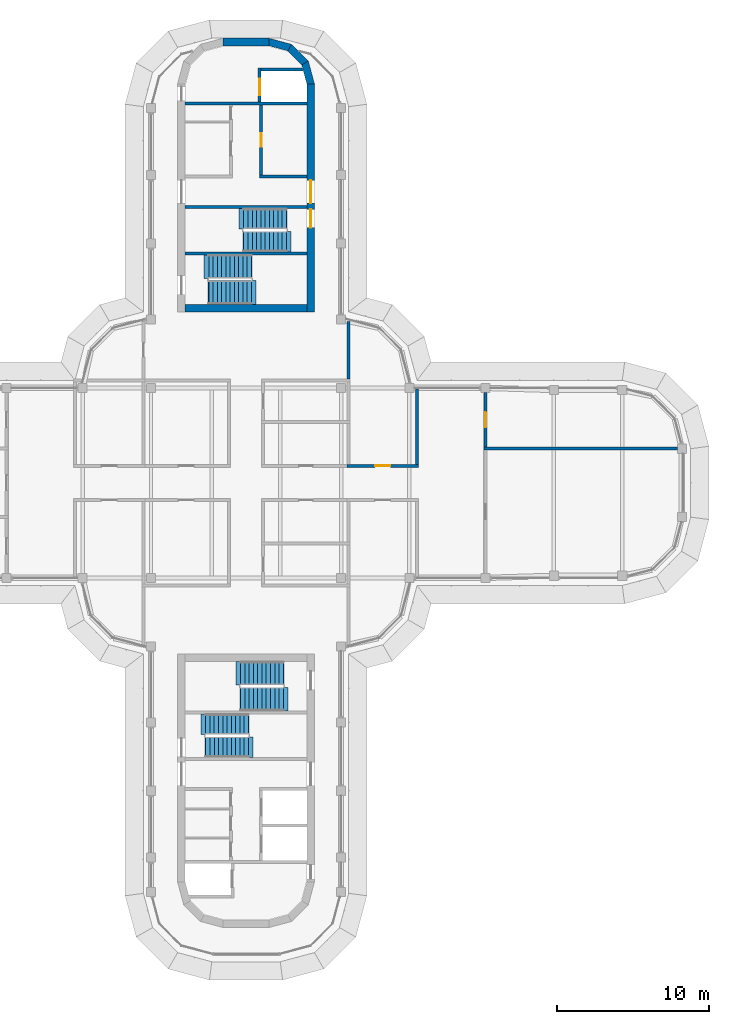
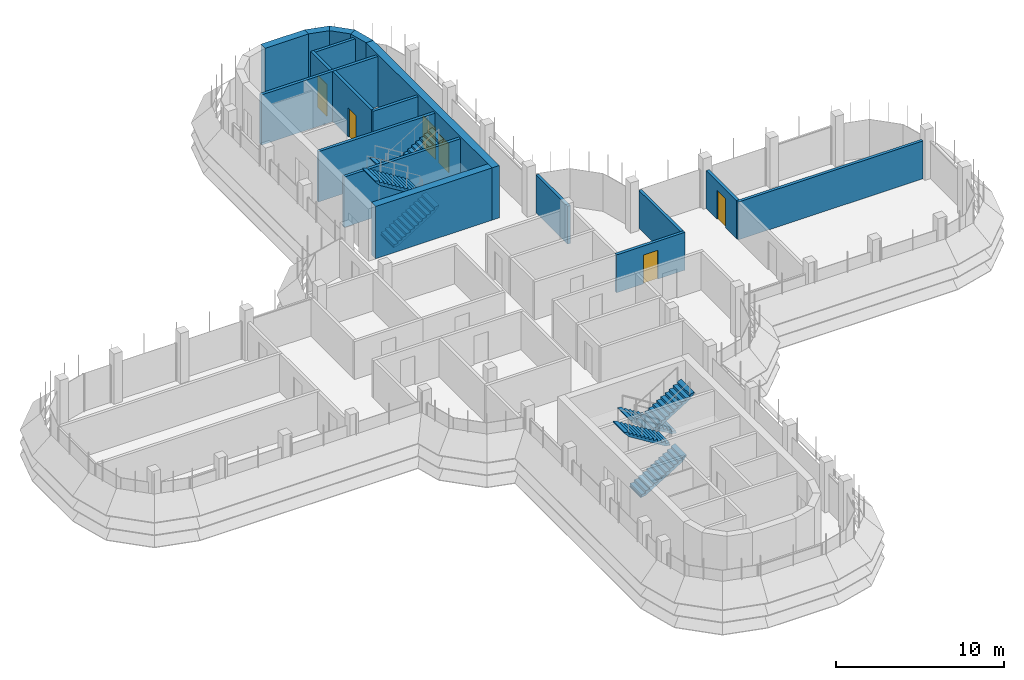
# One storey, part 15 of 19: 18 walls, 8 stair flights, 6 doors, 6 openings, 4 elements without a shape of their own.
"""IFC4 building model written with IfcOpenShell, lengths in metres."""

from ifc_helpers import new_model, si_unit, direction, frame, frame_2d, origin, place, context, subcontext, project, spatial, polyline, rectangle, outline, extrude, material, layer, layer_set, type_object, element, fill, aggregate, save


model = new_model("IFC4")

# Units and contexts
model_context = context("Model", 3, precision=1e-05, world=origin(), true_north=direction((0.0, 1.0)))
body_context = subcontext(model_context, "Body", "Model", "MODEL_VIEW")
ifc_project = project(units=[si_unit("LENGTHUNIT", "METRE"), si_unit("AREAUNIT", "SQUARE_METRE"), si_unit("VOLUMEUNIT", "CUBIC_METRE"), si_unit("PLANEANGLEUNIT", "RADIAN"), si_unit("MASSUNIT", "GRAM", prefix="KILO")], contexts=[model_context])

# Site, building, storey
site_placement = place(None, origin())
site = spatial("IfcSite", under=ifc_project, at=site_placement, CompositionType="ELEMENT")
building_placement = place(site_placement, origin())
building = spatial("IfcBuilding", under=site, at=building_placement, Name="Zarbagh Exchange Tower", CompositionType="ELEMENT")
storey_placement = place(building_placement, frame((0.0, 0.0, 268.800048828125)))
storey = spatial("IfcBuildingStorey", under=building, at=storey_placement, Name="L66", CompositionType="ELEMENT", Elevation=268.800048828125)

# Wall, opening, door
ifc_material_1 = material(Name="Fire-rated plasterboard partition")
ifc_layer_1 = layer(ifc_material_1, 0.199951171875)
ifc_layer_set_1 = layer_set([ifc_layer_1], Name="RATED PARTITION 200")
wall_type_1 = type_object("IfcWallType", Name="RATED PARTITION 200", PredefinedType="PARTITIONING", material=ifc_layer_set_1)
wall_1_placement = place(storey_placement, frame((6.64990234375, 1.125, 0.0), z_axis=(0.0, 0.0, 1.0), x_axis=(1.0, 0.0, 0.0)))
wall_1 = element("IfcWall", 1, at=wall_1_placement, inside=storey, type_object=wall_type_1, Name="Partition W-2802", PredefinedType="PARTITIONING", context=body_context, shape_type="SweptSolid", body=[
    extrude(rectangle(XDim=4.7001953125, YDim=0.199951171875, at=frame_2d((2.35009765625, 0.0))), origin(), (0.0, 0.0, 1.0), 2.75),
])
opening_1_placement = place(wall_1_placement, frame((1.85009765625, 0.0, 0.0)))
opening_1 = element("IfcOpeningElement", 2, at=opening_1_placement, cuts=wall_1, Name="Opening D-2805", PredefinedType="OPENING", context=body_context, shape_type="SweptSolid", body=[
    extrude(rectangle(XDim=1.0, YDim=2.10009765625, at=frame_2d((0.5, 1.050048828125))), frame((0.0, 0.10986328125, 0.0), z_axis=(0.0, -1.0, 0.0), x_axis=(1.0, 0.0, 0.0)), (0.0, 0.0, 1.0), 0.219970703125),
])
ifc_material_2 = material(Name="Steel door set", Category="steel")
door_type_1 = type_object("IfcDoorType", Name="FIRE DOOR 1000 X 2100 FD30S", OperationType="NOTDEFINED", PredefinedType="DOOR", material=ifc_material_2)
door_1_placement = place(opening_1_placement, origin())
door_1 = element("IfcDoor", 3, at=door_1_placement, inside=storey, type_object=door_type_1, Name="Door D-2805", OperationType="SINGLE_SWING_RIGHT", OverallHeight=2.10009765625, OverallWidth=1.0, PredefinedType="DOOR", context=body_context, shape_type="SweptSolid", body=[
    extrude(rectangle(XDim=1.0, YDim=2.10009765625, at=frame_2d((0.5, 1.050048828125))), frame((0.0, 0.02490234375, 0.0), z_axis=(0.0, -1.0, 0.0), x_axis=(1.0, 0.0, 0.0)), (0.0, 0.0, 1.0), 0.050048828125),
])
fill(opening_1, door_1)

# Walls
wall_2_placement = place(storey_placement, frame((6.75, 6.85009765625, 0.0), z_axis=(0.0, 0.0, 1.0), x_axis=(0.0, 1.0, 0.0)))
element("IfcWall", 4, at=wall_2_placement, inside=storey, type_object=wall_type_1, Name="Partition W-2816", PredefinedType="PARTITIONING", context=body_context, shape_type="SweptSolid", body=[
    extrude(rectangle(XDim=3.77978515625, YDim=0.199951171875, at=frame_2d((1.889892578125, 0.0))), origin(), (0.0, 0.0, 1.0), 2.75),
])
wall_3_placement = place(storey_placement, frame((11.25, 1.22509765625, 0.0), z_axis=(0.0, 0.0, 1.0), x_axis=(0.0, 1.0, 0.0)))
element("IfcWall", 5, at=wall_3_placement, inside=storey, type_object=wall_type_1, Name="Partition W-2826", PredefinedType="PARTITIONING", context=body_context, shape_type="SweptSolid", body=[
    extrude(rectangle(XDim=4.94482421875, YDim=0.199951171875, at=frame_2d((2.472412109375, 0.0))), origin(), (0.0, 0.0, 1.0), 2.75),
])

# Wall, opening, door
wall_4_placement = place(storey_placement, frame((15.75, 5.949951171875, 0.0), z_axis=(0.0, 0.0, 1.0), x_axis=(0.0, -1.0, 0.0)))
wall_4 = element("IfcWall", 6, at=wall_4_placement, inside=storey, type_object=wall_type_1, Name="Partition W-2837", PredefinedType="PARTITIONING", context=body_context, shape_type="SweptSolid", body=[
    extrude(rectangle(XDim=3.599853515625, YDim=0.199951171875, at=frame_2d((1.7998046875, 0.0))), origin(), (0.0, 0.0, 1.0), 2.75),
])
opening_2_placement = place(wall_4_placement, frame((1.300048828125, 0.0, 0.0)))
opening_2 = element("IfcOpeningElement", 7, at=opening_2_placement, cuts=wall_4, Name="Opening D-2802", PredefinedType="OPENING", context=body_context, shape_type="SweptSolid", body=[
    extrude(rectangle(XDim=1.0, YDim=2.10009765625, at=frame_2d((0.5, 1.050048828125))), frame((0.0, 0.10986328125, 0.0), z_axis=(0.0, -1.0, 0.0), x_axis=(1.0, 0.0, 0.0)), (0.0, 0.0, 1.0), 0.219970703125),
])
door_2_placement = place(opening_2_placement, origin())
door_2 = element("IfcDoor", 8, at=door_2_placement, inside=storey, type_object=door_type_1, Name="Door D-2802", OperationType="SINGLE_SWING_LEFT", OverallHeight=2.10009765625, OverallWidth=1.0, PredefinedType="DOOR", context=body_context, shape_type="SweptSolid", body=[
    extrude(rectangle(XDim=1.0, YDim=2.10009765625, at=frame_2d((0.5, 1.050048828125))), frame((0.0, 0.02490234375, 0.0), z_axis=(0.0, -1.0, 0.0), x_axis=(1.0, 0.0, 0.0)), (0.0, 0.0, 1.0), 0.050048828125),
])
fill(opening_2, door_2)

# Walls
wall_5_placement = place(storey_placement, frame((15.64990234375, 2.25, 0.0), z_axis=(0.0, 0.0, 1.0), x_axis=(1.0, 0.0, 0.0)))
element("IfcWall", 9, at=wall_5_placement, inside=storey, type_object=wall_type_1, Name="Partition W-2838", PredefinedType="PARTITIONING", context=body_context, shape_type="SweptSolid", body=[
    extrude(rectangle(XDim=12.72021484375, YDim=0.199951171875, at=frame_2d((6.360107421875, 0.0))), origin(), (0.0, 0.0, 1.0), 2.75),
])
ifc_material_3 = material(Name="Concrete C40/50", Category="concrete")
ifc_layer_2 = layer(ifc_material_3, 0.5)
ifc_layer_set_2 = layer_set([ifc_layer_2], Name="RC core corner wall 500 C40/50")
wall_type_2 = type_object("IfcWallType", Name="RC core corner wall 500 C40/50", PredefinedType="SHEAR", material=ifc_layer_set_2)
wall_6_placement = place(storey_placement, origin())
element("IfcWall", 10, at=wall_6_placement, inside=storey, type_object=wall_type_2, Name="CW10 core N corner E", PredefinedType="SHEAR", context=body_context, shape_type="SweptSolid", body=[
    extrude(outline(polyline([(4.5, 26.25), (4.09814453125, 27.75), (3.6650390625, 27.5), (4.0, 26.25), (4.5, 26.25)])), origin(), (0.0, 0.0, 1.0), 3.800048828125),
])
wall_7_placement = place(storey_placement, origin())
element("IfcWall", 11, at=wall_7_placement, inside=storey, type_object=wall_type_2, Name="CW10 core N corner E", PredefinedType="SHEAR", context=body_context, shape_type="SweptSolid", body=[
    extrude(outline(polyline([(4.09814453125, 27.75), (3.0, 28.84814453125), (2.75, 28.4150390625), (3.6650390625, 27.5), (4.09814453125, 27.75)])), origin(), (0.0, 0.0, 1.0), 3.800048828125),
])
wall_8_placement = place(storey_placement, origin())
element("IfcWall", 12, at=wall_8_placement, inside=storey, type_object=wall_type_2, Name="CW10 core N corner E", PredefinedType="SHEAR", context=body_context, shape_type="SweptSolid", body=[
    extrude(outline(polyline([(3.0, 28.84814453125), (1.5, 29.25), (1.5, 28.75), (2.75, 28.4150390625), (3.0, 28.84814453125)])), origin(), (0.0, 0.0, 1.0), 3.800048828125),
])

# Wall, openings, doors
ifc_layer_3 = layer(ifc_material_3, 0.5)
ifc_layer_set_3 = layer_set([ifc_layer_3], Name="RC core wall 500 C40/50")
wall_type_3 = type_object("IfcWallType", Name="RC core wall 500 C40/50", PredefinedType="SHEAR", material=ifc_layer_set_3)
wall_9_placement = place(storey_placement, frame((4.25, 11.25, 0.0), z_axis=(0.0, 0.0, 1.0), x_axis=(0.0, 1.0, 0.0)))
wall_9 = element("IfcWall", 13, at=wall_9_placement, inside=storey, type_object=wall_type_3, Name="CW9 core N E", PredefinedType="SHEAR", context=body_context, shape_type="SweptSolid", body=[
    extrude(rectangle(XDim=15.0, YDim=0.5, at=frame_2d((7.5, 0.0))), origin(), (0.0, 0.0, 1.0), 3.800048828125),
])
opening_3_placement = place(wall_9_placement, frame((7.14990234375, 0.0, 0.0)))
opening_3 = element("IfcOpeningElement", 14, at=opening_3_placement, cuts=wall_9, Name="Opening CD1-1500", PredefinedType="OPENING", context=body_context, shape_type="SweptSolid", body=[
    extrude(rectangle(XDim=1.5, YDim=2.300048828125, at=frame_2d((0.75, 1.14990234375))), frame((0.0, 0.260009765625, 0.0), z_axis=(0.0, -1.0, 0.0), x_axis=(1.0, 0.0, 0.0)), (0.0, 0.0, 1.0), 0.52001953125),
])
opening_4_placement = place(wall_9_placement, frame((5.550048828125, 0.0, 0.0)))
opening_4 = element("IfcOpeningElement", 15, at=opening_4_placement, cuts=wall_9, Name="Opening SD1-1200", PredefinedType="OPENING", context=body_context, shape_type="SweptSolid", body=[
    extrude(rectangle(XDim=1.199951171875, YDim=2.10009765625, at=frame_2d((0.60009765625, 1.050048828125))), frame((0.0, 0.260009765625, 0.0), z_axis=(0.0, -1.0, 0.0), x_axis=(1.0, 0.0, 0.0)), (0.0, 0.0, 1.0), 0.52001953125),
])
ifc_material_4 = material(Name="Steel", Category="steel")
door_type_2 = type_object("IfcDoorType", Name="Exit stair door 1200 x 2100", OperationType="NOTDEFINED", PredefinedType="DOOR", material=ifc_material_4)
door_3_placement = place(opening_4_placement, origin())
door_3 = element("IfcDoor", 16, at=door_3_placement, inside=storey, type_object=door_type_2, Name="North core stair door ST1", OperationType="SINGLE_SWING_RIGHT", OverallHeight=2.10009765625, OverallWidth=1.199951171875, PredefinedType="DOOR", context=body_context, shape_type="SweptSolid", body=[
    extrude(rectangle(XDim=1.199951171875, YDim=2.10009765625, at=frame_2d((0.60009765625, 1.050048828125))), frame((0.0, 0.02490234375, 0.0), z_axis=(0.0, -1.0, 0.0), x_axis=(1.0, 0.0, 0.0)), (0.0, 0.0, 1.0), 0.050048828125),
])
fill(opening_4, door_3)
door_type_3 = type_object("IfcDoorType", Name="Lift lobby double door 1500 x 2300", OperationType="NOTDEFINED", PredefinedType="DOOR", material=ifc_material_4)
door_4_placement = place(opening_3_placement, origin())
door_4 = element("IfcDoor", 17, at=door_4_placement, inside=storey, type_object=door_type_3, Name="North core lift lobby door LOBBY-E", OperationType="DOUBLE_DOOR_SINGLE_SWING", OverallHeight=2.300048828125, OverallWidth=1.5, PredefinedType="DOOR", context=body_context, shape_type="SweptSolid", body=[
    extrude(rectangle(XDim=1.5, YDim=2.300048828125, at=frame_2d((0.75, 1.14990234375))), frame((0.0, 0.02490234375, 0.0), z_axis=(0.0, -1.0, 0.0), x_axis=(1.0, 0.0, 0.0)), (0.0, 0.0, 1.0), 0.050048828125),
])
fill(opening_3, door_4)

# Walls
wall_10_placement = place(storey_placement, frame((-4.0, 11.5, 0.0), z_axis=(0.0, 0.0, 1.0), x_axis=(1.0, 0.0, 0.0)))
element("IfcWall", 18, at=wall_10_placement, inside=storey, type_object=wall_type_3, Name="CW9 core N inner end", PredefinedType="SHEAR", context=body_context, shape_type="SweptSolid", body=[
    extrude(rectangle(XDim=8.0, YDim=0.5, at=frame_2d((4.0, 0.0))), origin(), (0.0, 0.0, 1.0), 3.800048828125),
])
wall_11_placement = place(storey_placement, frame((-1.5, 29.0, 0.0), z_axis=(0.0, 0.0, 1.0), x_axis=(1.0, 0.0, 0.0)))
element("IfcWall", 19, at=wall_11_placement, inside=storey, type_object=wall_type_3, Name="CW9 core N outer end", PredefinedType="SHEAR", context=body_context, shape_type="SweptSolid", body=[
    extrude(rectangle(XDim=3.0, YDim=0.5, at=frame_2d((1.5, 0.0))), origin(), (0.0, 0.0, 1.0), 3.800048828125),
])
ifc_material_5 = material(Name="Dense blockwork", Category="masonry")
ifc_layer_4 = layer(ifc_material_5, 0.199951171875)
ifc_layer_set_4 = layer_set([ifc_layer_4], Name="Shaft wall 200 mm blockwork")
wall_type_4 = type_object("IfcWallType", Name="Shaft wall 200 mm blockwork", PredefinedType="PARTITIONING", material=ifc_layer_set_4)
wall_12_placement = place(storey_placement, frame((0.89990234375, 20.14990234375, 0.0), z_axis=(0.0, 0.0, 1.0), x_axis=(1.0, 0.0, 0.0)))
element("IfcWall", 20, at=wall_12_placement, inside=storey, type_object=wall_type_4, Name="North core shaft wall AB-E", PredefinedType="PARTITIONING", context=body_context, shape_type="SweptSolid", body=[
    extrude(rectangle(XDim=3.10009765625, YDim=0.199951171875, at=frame_2d((1.550048828125, 0.0))), origin(), (0.0, 0.0, 1.0), 3.64990234375),
])

# Wall, opening, door
wall_13_placement = place(storey_placement, frame((1.0, 24.85009765625, 0.0), z_axis=(0.0, 0.0, 1.0), x_axis=(0.0, -1.0, 0.0)))
wall_13 = element("IfcWall", 21, at=wall_13_placement, inside=storey, type_object=wall_type_4, Name="North core shaft wall LW-E", PredefinedType="PARTITIONING", context=body_context, shape_type="SweptSolid", body=[
    extrude(rectangle(XDim=4.60009765625, YDim=0.199951171875, at=frame_2d((2.300048828125, 0.0))), origin(), (0.0, 0.0, 1.0), 3.64990234375),
])
opening_5_placement = place(wall_13_placement, frame((1.85009765625, 0.0, 0.0)))
opening_5 = element("IfcOpeningElement", 22, at=opening_5_placement, cuts=wall_13, Name="Opening CD3-900", PredefinedType="OPENING", context=body_context, shape_type="SweptSolid", body=[
    extrude(rectangle(XDim=0.89990234375, YDim=2.10009765625, at=frame_2d((0.449951171875, 1.050048828125))), frame((0.0, 0.10986328125, 0.0), z_axis=(0.0, -1.0, 0.0), x_axis=(1.0, 0.0, 0.0)), (0.0, 0.0, 1.0), 0.219970703125),
])
door_type_4 = type_object("IfcDoorType", Name="Core room door 900 x 2100", OperationType="NOTDEFINED", PredefinedType="DOOR", material=ifc_material_4)
door_5_placement = place(opening_5_placement, origin())
door_5 = element("IfcDoor", 23, at=door_5_placement, inside=storey, type_object=door_type_4, Name="North core Riser store door RD-E-0", OperationType="SINGLE_SWING_RIGHT", OverallHeight=2.10009765625, OverallWidth=0.89990234375, PredefinedType="DOOR", context=body_context, shape_type="SweptSolid", body=[
    extrude(rectangle(XDim=0.89990234375, YDim=2.10009765625, at=frame_2d((0.449951171875, 1.050048828125))), frame((0.0, 0.02490234375, 0.0), z_axis=(0.0, -1.0, 0.0), x_axis=(1.0, 0.0, 0.0)), (0.0, 0.0, 1.0), 0.050048828125),
])
fill(opening_5, door_5)

# Wall
ifc_layer_5 = layer(ifc_material_3, 0.199951171875)
ifc_layer_set_5 = layer_set([ifc_layer_5], Name="Stair enclosure wall 200 mm RC C40/50")
wall_type_5 = type_object("IfcWallType", Name="Stair enclosure wall 200 mm RC C40/50", PredefinedType="SHEAR", material=ifc_layer_set_5)
wall_14_placement = place(storey_placement, frame((-4.0, 24.949951171875, 0.0), z_axis=(0.0, 0.0, 1.0), x_axis=(1.0, 0.0, 0.0)))
element("IfcWall", 24, at=wall_14_placement, inside=storey, type_object=wall_type_5, Name="North core lift shaft wall FFA", PredefinedType="SHEAR", context=body_context, shape_type="SweptSolid", body=[
    extrude(rectangle(XDim=8.0, YDim=0.199951171875, at=frame_2d((4.0, 0.0))), origin(), (0.0, 0.0, 1.0), 3.64990234375),
])

# Wall, opening, door
wall_15_placement = place(storey_placement, frame((0.89990234375, 27.300048828125, 0.0), z_axis=(0.0, 0.0, 1.0), x_axis=(0.0, -1.0, 0.0)))
wall_15 = element("IfcWall", 25, at=wall_15_placement, inside=storey, type_object=wall_type_5, Name="North core lift shaft wall FFL", PredefinedType="SHEAR", context=body_context, shape_type="SweptSolid", body=[
    extrude(rectangle(XDim=2.25, YDim=0.199951171875, at=frame_2d((1.125, 0.0))), origin(), (0.0, 0.0, 1.0), 3.64990234375),
])
opening_6_placement = place(wall_15_placement, frame((0.699951171875, 0.0, 0.0)))
opening_6 = element("IfcOpeningElement", 26, at=opening_6_placement, cuts=wall_15, Name="Opening LD-1100", PredefinedType="OPENING", context=body_context, shape_type="SweptSolid", body=[
    extrude(rectangle(XDim=1.10009765625, YDim=2.300048828125, at=frame_2d((0.550048828125, 1.14990234375))), frame((0.0, 0.10986328125, 0.0), z_axis=(0.0, -1.0, 0.0), x_axis=(1.0, 0.0, 0.0)), (0.0, 0.0, 1.0), 0.219970703125),
])
ifc_material_6 = material(Name="Stainless steel", Category="steel")
door_type_5 = type_object("IfcDoorType", Name="Lift landing door 1100 x 2300", OperationType="NOTDEFINED", PredefinedType="DOOR", material=ifc_material_6)
door_6_placement = place(opening_6_placement, origin())
door_6 = element("IfcDoor", 27, at=door_6_placement, inside=storey, type_object=door_type_5, Name="North core lift landing door LD-F", OperationType="DOUBLE_DOOR_SLIDING", OverallHeight=2.300048828125, OverallWidth=1.10009765625, PredefinedType="DOOR", context=body_context, shape_type="SweptSolid", body=[
    extrude(rectangle(XDim=1.10009765625, YDim=2.300048828125, at=frame_2d((0.550048828125, 1.14990234375))), frame((0.0, 0.02490234375, 0.0), z_axis=(0.0, -1.0, 0.0), x_axis=(1.0, 0.0, 0.0)), (0.0, 0.0, 1.0), 0.050048828125),
])
fill(opening_6, door_6)

# Walls
wall_16_placement = place(storey_placement, origin())
element("IfcWall", 28, at=wall_16_placement, inside=storey, type_object=wall_type_5, Name="North core lift shaft wall FFX", PredefinedType="SHEAR", context=body_context, shape_type="SweptSolid", body=[
    extrude(outline(polyline([(1.0, 27.10009765625), (3.754638671875, 27.10009765625), (3.700927734375, 27.300048828125), (1.0, 27.300048828125), (1.0, 27.10009765625)])), origin(), (0.0, 0.0, 1.0), 3.64990234375),
])
for number, where, z_axis, x_axis, name in (
    (29, (-4.0, 18.14990234375, 0.0), (0.0, 0.0, 1.0), (1.0, 0.0, 0.0), "North core stair wall BS"),
    (30, (-4.0, 15.10009765625, 0.0), (0.0, 0.0, 1.0), (1.0, 0.0, 0.0), "North core stair wall ST12"),
):
    element("IfcWall", number, at=place(storey_placement, frame(where, z_axis=z_axis, x_axis=x_axis)), inside=storey, type_object=wall_type_5, Name=name, PredefinedType="SHEAR", context=body_context, shape_type="SweptSolid", body=[
        extrude(rectangle(XDim=8.0, YDim=0.199951171875, at=frame_2d((4.0, 0.0))), origin(), (0.0, 0.0, 1.0), 3.64990234375),
    ])

# Stair, stair flights
stair_type = type_object("IfcStairType", Name="Exit stair two-flight half-turn", PredefinedType="HALF_TURN_STAIR", material=ifc_material_3)
stair_1_placement = place(storey_placement, origin())
stair_1 = element("IfcStair", 31, at=stair_1_placement, inside=storey, type_object=stair_type, Name="exit stair ST1", PredefinedType="HALF_TURN_STAIR")
stair_flight_type_1 = type_object("IfcStairFlightType", Name="Stair flight 1350 mm", PredefinedType="STRAIGHT", material=ifc_material_3)
stair_flight_1_placement = place(storey_placement, frame((2.64990234375, 17.375, 0.0), z_axis=(0.0, 0.0, 1.0), x_axis=(-1.0, 0.0, 0.0)))
stair_flight_1 = element("IfcStairFlight", 32, at=stair_flight_1_placement, type_object=stair_flight_type_1, Name="ST1 flight 1", NumberOfRisers=11, NumberOfTreads=10, PredefinedType="STRAIGHT", RiserHeight=0.172727273, TreadLength=0.28, context=body_context, shape_type="SweptSolid", body=[
    extrude(outline(polyline([(-0.050048828125, -0.050048828125), (-0.050048828125, 0.0), (0.0, 0.0), (0.0, 0.172607421875), (0.280029296875, 0.172607421875), (0.280029296875, 0.345458984375), (0.56005859375, 0.345458984375), (0.56005859375, 0.51806640625), (0.840087890625, 0.51806640625), (0.840087890625, 0.69091796875), (1.1201171875, 0.69091796875), (1.1201171875, 0.863525390625), (1.39990234375, 0.863525390625), (1.39990234375, 1.036376953125), (1.679931640625, 1.036376953125), (1.679931640625, 1.208984375), (1.9599609375, 1.208984375), (1.9599609375, 1.3818359375), (2.239990234375, 1.3818359375), (2.239990234375, 1.554443359375), (2.52001953125, 1.554443359375), (2.52001953125, 1.727294921875), (2.800048828125, 1.727294921875), (2.800048828125, 1.89990234375), (3.10009765625, 1.97998046875), (3.10009765625, 1.89990234375), (2.800048828125, 1.551025390625), (0.285400390625, 0.0), (-0.050048828125, -0.050048828125)])), frame((0.0, 0.675048828125, 0.0), z_axis=(0.0, -1.0, 0.0), x_axis=(1.0, 0.0, 0.0)), (0.0, 0.0, 1.0), 1.35009765625),
])
stair_flight_2_placement = place(storey_placement, frame((-0.14990234375, 15.875, 1.89990234375), z_axis=(0.0, 0.0, 1.0), x_axis=(1.0, 0.0, 0.0)))
stair_flight_2 = element("IfcStairFlight", 33, at=stair_flight_2_placement, type_object=stair_flight_type_1, Name="ST1 flight 2", NumberOfRisers=11, NumberOfTreads=10, PredefinedType="STRAIGHT", RiserHeight=0.172727273, TreadLength=0.28, context=body_context, shape_type="SweptSolid", body=[
    extrude(outline(polyline([(-0.050048828125, -0.050048828125), (-0.050048828125, 0.0), (0.0, 0.0), (0.0, 0.172607421875), (0.280029296875, 0.172607421875), (0.280029296875, 0.345458984375), (0.56005859375, 0.345458984375), (0.56005859375, 0.51806640625), (0.840087890625, 0.51806640625), (0.840087890625, 0.69091796875), (1.1201171875, 0.69091796875), (1.1201171875, 0.863525390625), (1.39990234375, 0.863525390625), (1.39990234375, 1.036376953125), (1.679931640625, 1.036376953125), (1.679931640625, 1.208984375), (1.9599609375, 1.208984375), (1.9599609375, 1.3818359375), (2.239990234375, 1.3818359375), (2.239990234375, 1.554443359375), (2.52001953125, 1.554443359375), (2.52001953125, 1.727294921875), (2.800048828125, 1.727294921875), (2.800048828125, 1.89990234375), (3.10009765625, 1.97998046875), (3.10009765625, 1.89990234375), (2.800048828125, 1.551025390625), (0.285400390625, 0.0), (-0.050048828125, -0.050048828125)])), frame((0.0, 0.675048828125, 0.0), z_axis=(0.0, -1.0, 0.0), x_axis=(1.0, 0.0, 0.0)), (0.0, 0.0, 1.0), 1.35009765625),
])
aggregate(stair_1, [stair_flight_1, stair_flight_2])

stair_2_placement = place(storey_placement, origin())
stair_2 = element("IfcStair", 34, at=stair_2_placement, inside=storey, type_object=stair_type, Name="exit stair ST3", PredefinedType="HALF_TURN_STAIR")
stair_flight_3_placement = place(storey_placement, frame((-2.64990234375, -17.375, 0.0), z_axis=(0.0, 0.0, 1.0), x_axis=(1.0, 0.0, 0.0)))
stair_flight_3 = element("IfcStairFlight", 35, at=stair_flight_3_placement, type_object=stair_flight_type_1, Name="ST3 flight 1", NumberOfRisers=11, NumberOfTreads=10, PredefinedType="STRAIGHT", RiserHeight=0.172727273, TreadLength=0.28, context=body_context, shape_type="SweptSolid", body=[
    extrude(outline(polyline([(-0.050048828125, -0.050048828125), (-0.050048828125, 0.0), (0.0, 0.0), (0.0, 0.172607421875), (0.280029296875, 0.172607421875), (0.280029296875, 0.345458984375), (0.56005859375, 0.345458984375), (0.56005859375, 0.51806640625), (0.840087890625, 0.51806640625), (0.840087890625, 0.69091796875), (1.1201171875, 0.69091796875), (1.1201171875, 0.863525390625), (1.39990234375, 0.863525390625), (1.39990234375, 1.036376953125), (1.679931640625, 1.036376953125), (1.679931640625, 1.208984375), (1.9599609375, 1.208984375), (1.9599609375, 1.3818359375), (2.239990234375, 1.3818359375), (2.239990234375, 1.554443359375), (2.52001953125, 1.554443359375), (2.52001953125, 1.727294921875), (2.800048828125, 1.727294921875), (2.800048828125, 1.89990234375), (3.10009765625, 1.97998046875), (3.10009765625, 1.89990234375), (2.800048828125, 1.551025390625), (0.285400390625, 0.0), (-0.050048828125, -0.050048828125)])), frame((0.0, 0.675048828125, 0.0), z_axis=(0.0, -1.0, 0.0), x_axis=(1.0, 0.0, 0.0)), (0.0, 0.0, 1.0), 1.35009765625),
])
stair_flight_4_placement = place(storey_placement, frame((0.14990234375, -15.875, 1.89990234375), z_axis=(0.0, 0.0, 1.0), x_axis=(-1.0, 0.0, 0.0)))
stair_flight_4 = element("IfcStairFlight", 36, at=stair_flight_4_placement, type_object=stair_flight_type_1, Name="ST3 flight 2", NumberOfRisers=11, NumberOfTreads=10, PredefinedType="STRAIGHT", RiserHeight=0.172727273, TreadLength=0.28, context=body_context, shape_type="SweptSolid", body=[
    extrude(outline(polyline([(-0.050048828125, -0.050048828125), (-0.050048828125, 0.0), (0.0, 0.0), (0.0, 0.172607421875), (0.280029296875, 0.172607421875), (0.280029296875, 0.345458984375), (0.56005859375, 0.345458984375), (0.56005859375, 0.51806640625), (0.840087890625, 0.51806640625), (0.840087890625, 0.69091796875), (1.1201171875, 0.69091796875), (1.1201171875, 0.863525390625), (1.39990234375, 0.863525390625), (1.39990234375, 1.036376953125), (1.679931640625, 1.036376953125), (1.679931640625, 1.208984375), (1.9599609375, 1.208984375), (1.9599609375, 1.3818359375), (2.239990234375, 1.3818359375), (2.239990234375, 1.554443359375), (2.52001953125, 1.554443359375), (2.52001953125, 1.727294921875), (2.800048828125, 1.727294921875), (2.800048828125, 1.89990234375), (3.10009765625, 1.97998046875), (3.10009765625, 1.89990234375), (2.800048828125, 1.551025390625), (0.285400390625, 0.0), (-0.050048828125, -0.050048828125)])), frame((0.0, 0.675048828125, 0.0), z_axis=(0.0, -1.0, 0.0), x_axis=(1.0, 0.0, 0.0)), (0.0, 0.0, 1.0), 1.35009765625),
])
aggregate(stair_2, [stair_flight_3, stair_flight_4])

stair_3_placement = place(storey_placement, origin())
stair_3 = element("IfcStair", 37, at=stair_3_placement, inside=storey, type_object=stair_type, Name="exit stair ST2", PredefinedType="HALF_TURN_STAIR")
stair_flight_type_2 = type_object("IfcStairFlightType", Name="Stair flight 1550 mm", PredefinedType="STRAIGHT", material=ifc_material_3)
stair_flight_5_placement = place(storey_placement, frame((-2.449951171875, 12.52490234375, 0.0), z_axis=(0.0, 0.0, 1.0), x_axis=(1.0, 0.0, 0.0)))
stair_flight_5 = element("IfcStairFlight", 38, at=stair_flight_5_placement, type_object=stair_flight_type_2, Name="ST2 flight 1", NumberOfRisers=11, NumberOfTreads=10, PredefinedType="STRAIGHT", RiserHeight=0.172727273, TreadLength=0.28, context=body_context, shape_type="SweptSolid", body=[
    extrude(outline(polyline([(-0.050048828125, -0.050048828125), (-0.050048828125, 0.0), (0.0, 0.0), (0.0, 0.172607421875), (0.280029296875, 0.172607421875), (0.280029296875, 0.345458984375), (0.56005859375, 0.345458984375), (0.56005859375, 0.51806640625), (0.840087890625, 0.51806640625), (0.840087890625, 0.69091796875), (1.1201171875, 0.69091796875), (1.1201171875, 0.863525390625), (1.39990234375, 0.863525390625), (1.39990234375, 1.036376953125), (1.679931640625, 1.036376953125), (1.679931640625, 1.208984375), (1.9599609375, 1.208984375), (1.9599609375, 1.3818359375), (2.239990234375, 1.3818359375), (2.239990234375, 1.554443359375), (2.52001953125, 1.554443359375), (2.52001953125, 1.727294921875), (2.800048828125, 1.727294921875), (2.800048828125, 1.89990234375), (3.10009765625, 1.97998046875), (3.10009765625, 1.89990234375), (2.800048828125, 1.551025390625), (0.285400390625, 0.0), (-0.050048828125, -0.050048828125)])), frame((0.0, 0.77490234375, 0.0), z_axis=(0.0, -1.0, 0.0), x_axis=(1.0, 0.0, 0.0)), (0.0, 0.0, 1.0), 1.550048828125),
])
stair_flight_6_placement = place(storey_placement, frame((0.35009765625, 14.22509765625, 1.89990234375), z_axis=(0.0, 0.0, 1.0), x_axis=(-1.0, 0.0, 0.0)))
stair_flight_6 = element("IfcStairFlight", 39, at=stair_flight_6_placement, type_object=stair_flight_type_2, Name="ST2 flight 2", NumberOfRisers=11, NumberOfTreads=10, PredefinedType="STRAIGHT", RiserHeight=0.172727273, TreadLength=0.28, context=body_context, shape_type="SweptSolid", body=[
    extrude(outline(polyline([(-0.050048828125, -0.050048828125), (-0.050048828125, 0.0), (0.0, 0.0), (0.0, 0.172607421875), (0.280029296875, 0.172607421875), (0.280029296875, 0.345458984375), (0.56005859375, 0.345458984375), (0.56005859375, 0.51806640625), (0.840087890625, 0.51806640625), (0.840087890625, 0.69091796875), (1.1201171875, 0.69091796875), (1.1201171875, 0.863525390625), (1.39990234375, 0.863525390625), (1.39990234375, 1.036376953125), (1.679931640625, 1.036376953125), (1.679931640625, 1.208984375), (1.9599609375, 1.208984375), (1.9599609375, 1.3818359375), (2.239990234375, 1.3818359375), (2.239990234375, 1.554443359375), (2.52001953125, 1.554443359375), (2.52001953125, 1.727294921875), (2.800048828125, 1.727294921875), (2.800048828125, 1.89990234375), (3.10009765625, 1.97998046875), (3.10009765625, 1.89990234375), (2.800048828125, 1.551025390625), (0.285400390625, 0.0), (-0.050048828125, -0.050048828125)])), frame((0.0, 0.77490234375, 0.0), z_axis=(0.0, -1.0, 0.0), x_axis=(1.0, 0.0, 0.0)), (0.0, 0.0, 1.0), 1.550048828125),
])
aggregate(stair_3, [stair_flight_5, stair_flight_6])

stair_4_placement = place(storey_placement, origin())
stair_4 = element("IfcStair", 40, at=stair_4_placement, inside=storey, type_object=stair_type, Name="exit stair ST4", PredefinedType="HALF_TURN_STAIR")
stair_flight_7_placement = place(storey_placement, frame((2.449951171875, -12.52490234375, 0.0), z_axis=(0.0, 0.0, 1.0), x_axis=(-1.0, 0.0, 0.0)))
stair_flight_7 = element("IfcStairFlight", 41, at=stair_flight_7_placement, type_object=stair_flight_type_2, Name="ST4 flight 1", NumberOfRisers=11, NumberOfTreads=10, PredefinedType="STRAIGHT", RiserHeight=0.172727273, TreadLength=0.28, context=body_context, shape_type="SweptSolid", body=[
    extrude(outline(polyline([(-0.050048828125, -0.050048828125), (-0.050048828125, 0.0), (0.0, 0.0), (0.0, 0.172607421875), (0.280029296875, 0.172607421875), (0.280029296875, 0.345458984375), (0.56005859375, 0.345458984375), (0.56005859375, 0.51806640625), (0.840087890625, 0.51806640625), (0.840087890625, 0.69091796875), (1.1201171875, 0.69091796875), (1.1201171875, 0.863525390625), (1.39990234375, 0.863525390625), (1.39990234375, 1.036376953125), (1.679931640625, 1.036376953125), (1.679931640625, 1.208984375), (1.9599609375, 1.208984375), (1.9599609375, 1.3818359375), (2.239990234375, 1.3818359375), (2.239990234375, 1.554443359375), (2.52001953125, 1.554443359375), (2.52001953125, 1.727294921875), (2.800048828125, 1.727294921875), (2.800048828125, 1.89990234375), (3.10009765625, 1.97998046875), (3.10009765625, 1.89990234375), (2.800048828125, 1.551025390625), (0.285400390625, 0.0), (-0.050048828125, -0.050048828125)])), frame((0.0, 0.77490234375, 0.0), z_axis=(0.0, -1.0, 0.0), x_axis=(1.0, 0.0, 0.0)), (0.0, 0.0, 1.0), 1.550048828125),
])
stair_flight_8_placement = place(storey_placement, frame((-0.35009765625, -14.22509765625, 1.89990234375), z_axis=(0.0, 0.0, 1.0), x_axis=(1.0, 0.0, 0.0)))
stair_flight_8 = element("IfcStairFlight", 42, at=stair_flight_8_placement, type_object=stair_flight_type_2, Name="ST4 flight 2", NumberOfRisers=11, NumberOfTreads=10, PredefinedType="STRAIGHT", RiserHeight=0.172727273, TreadLength=0.28, context=body_context, shape_type="SweptSolid", body=[
    extrude(outline(polyline([(-0.050048828125, -0.050048828125), (-0.050048828125, 0.0), (0.0, 0.0), (0.0, 0.172607421875), (0.280029296875, 0.172607421875), (0.280029296875, 0.345458984375), (0.56005859375, 0.345458984375), (0.56005859375, 0.51806640625), (0.840087890625, 0.51806640625), (0.840087890625, 0.69091796875), (1.1201171875, 0.69091796875), (1.1201171875, 0.863525390625), (1.39990234375, 0.863525390625), (1.39990234375, 1.036376953125), (1.679931640625, 1.036376953125), (1.679931640625, 1.208984375), (1.9599609375, 1.208984375), (1.9599609375, 1.3818359375), (2.239990234375, 1.3818359375), (2.239990234375, 1.554443359375), (2.52001953125, 1.554443359375), (2.52001953125, 1.727294921875), (2.800048828125, 1.727294921875), (2.800048828125, 1.89990234375), (3.10009765625, 1.97998046875), (3.10009765625, 1.89990234375), (2.800048828125, 1.551025390625), (0.285400390625, 0.0), (-0.050048828125, -0.050048828125)])), frame((0.0, 0.77490234375, 0.0), z_axis=(0.0, -1.0, 0.0), x_axis=(1.0, 0.0, 0.0)), (0.0, 0.0, 1.0), 1.550048828125),
])
aggregate(stair_4, [stair_flight_7, stair_flight_8])

save(model, "model.ifc")
